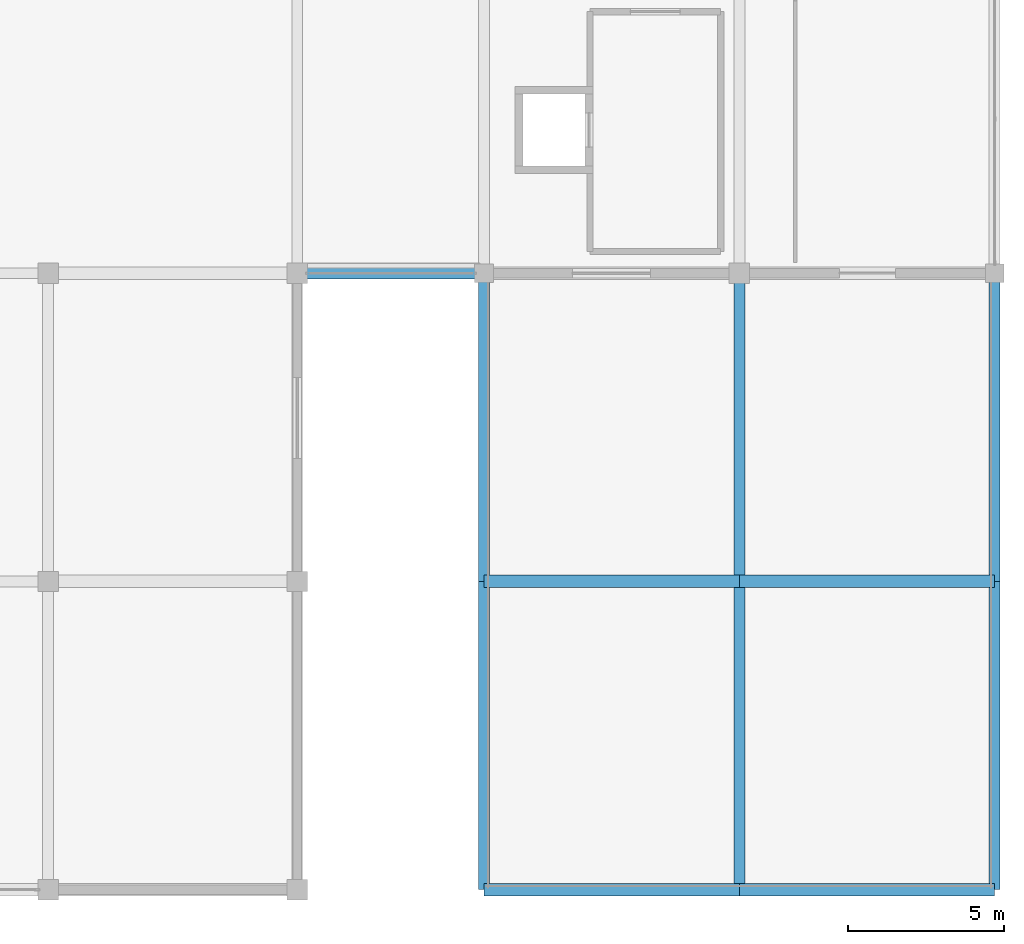
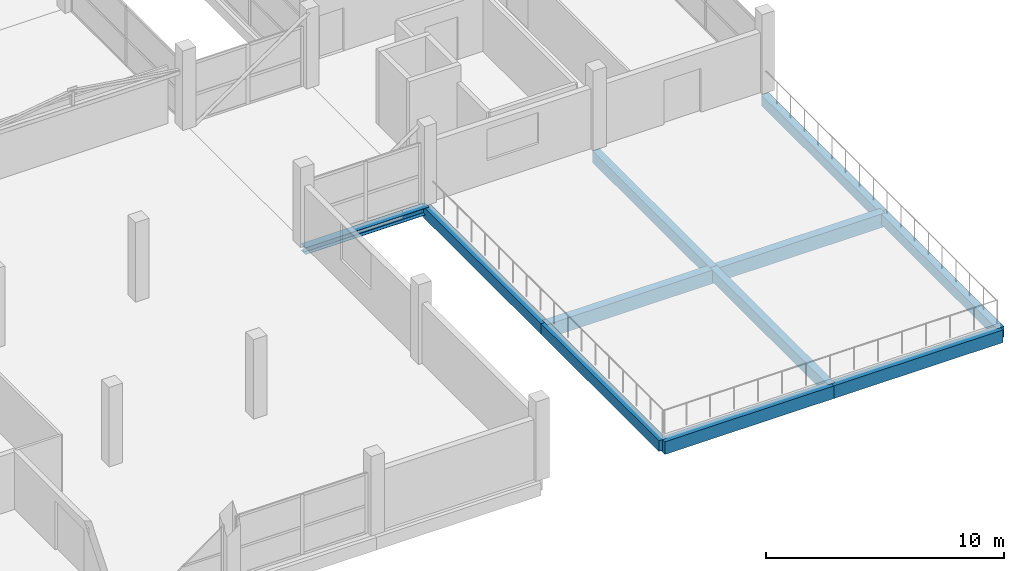
# One storey, part 13 of 53: 11 beams.
"""IFC4 building model written with IfcOpenShell, lengths in metres."""

from ifc_helpers import new_model, si_unit, direction, frame, origin, origin_2d, place, context, subcontext, project, spatial, rectangle, i_section, extrude, material, material_profile, profile_set, type_object, element, save


model = new_model("IFC4")

# Units and contexts
model_context = context("Model", 3, precision=1e-05, world=origin(), true_north=direction((0.0, 1.0)))
body_context = subcontext(model_context, "Body", "Model", "MODEL_VIEW")
ifc_project = project(units=[si_unit("LENGTHUNIT", "METRE"), si_unit("AREAUNIT", "SQUARE_METRE"), si_unit("VOLUMEUNIT", "CUBIC_METRE"), si_unit("PLANEANGLEUNIT", "RADIAN"), si_unit("MASSUNIT", "GRAM", prefix="KILO")], contexts=[model_context])

# Site, building, storey
site_placement = place(None, origin())
site = spatial("IfcSite", under=ifc_project, at=site_placement, CompositionType="ELEMENT")
building_placement = place(site_placement, origin())
building = spatial("IfcBuilding", under=site, at=building_placement, Name="Sillaruma Civic Art Gallery", CompositionType="ELEMENT")
storey_placement = place(building_placement, frame((0.0, 0.0, 70.3798828125)))
storey = spatial("IfcBuildingStorey", under=building, at=storey_placement, Name="L14", CompositionType="ELEMENT", Elevation=70.3798828125)

# Beams
ifc_material_1 = material(Name="Concrete H35 (35 MPa)", Category="concrete")
ifc_material_profile_1 = material_profile(ifc_material_1, rectangle(XDim=0.35009765625, YDim=0.60009765625, at=origin_2d()), Name="RCB350x600")
ifc_profile_set_1 = profile_set([ifc_material_profile_1], Name="Concrete H35 (35 MPa)")
beam_type_1 = type_object("IfcBeamType", Name="BM-BEAM-RCB350x600", PredefinedType="BEAM", material=ifc_profile_set_1)
beam_1_placement = place(storey_placement, frame((106.199951171875, 19.800048828125, -0.5498046875), z_axis=(0.0, 1.0, 0.0), x_axis=(-1.0, 0.0, 0.0)))
element("IfcBeam", 1, at=beam_1_placement, inside=storey, type_object=beam_type_1, Name="Beam BM-06 (L13:M:3-4)", PredefinedType="BEAM", context=body_context, shape_type="SweptSolid", body=[
    extrude(rectangle(XDim=0.35009765625, YDim=0.60009765625, at=origin_2d()), origin(), (0.0, 0.0, 1.0), 9.89990234375),
])
beam_2_placement = place(storey_placement, frame((106.199951171875, 29.699951171875, -0.5498046875), z_axis=(0.0, 1.0, 0.0), x_axis=(-1.0, 0.0, 0.0)))
element("IfcBeam", 2, at=beam_2_placement, inside=storey, type_object=beam_type_1, Name="Beam BM-06 (L13:M:4-5)", PredefinedType="BEAM", context=body_context, shape_type="SweptSolid", body=[
    extrude(rectangle(XDim=0.35009765625, YDim=0.60009765625, at=origin_2d()), origin(), (0.0, 0.0, 1.0), 9.900146484375),
])
ifc_material_profile_2 = material_profile(ifc_material_1, rectangle(XDim=0.39990234375, YDim=0.699951171875, at=origin_2d()), Name="RCB400x700")
ifc_profile_set_2 = profile_set([ifc_material_profile_2], Name="Concrete H35 (35 MPa)")
beam_type_2 = type_object("IfcBeamType", Name="BM-BEAM-RCB400x700", PredefinedType="BEAM", material=ifc_profile_set_2)
for number, where, z_axis, x_axis, name in (
    (3, (98.0, 29.699951171875, -0.599853515625), (1.0, 0.0, 0.0), (0.0, 1.0, 0.0), "Beam BM-04 (L13:4:L-M)"),
    (4, (106.199951171875, 29.699951171875, -0.599853515625), (1.0, 0.0, 0.0), (0.0, 1.0, 0.0), "Beam BM-04 (L13:4:M-N)"),
):
    element("IfcBeam", number, at=place(storey_placement, frame(where, z_axis=z_axis, x_axis=x_axis)), inside=storey, type_object=beam_type_2, Name=name, PredefinedType="BEAM", context=body_context, shape_type="SweptSolid", body=[
        extrude(rectangle(XDim=0.39990234375, YDim=0.699951171875, at=origin_2d()), origin(), (0.0, 0.0, 1.0), 8.199951171875),
    ])
ifc_material_2 = material(Name="Structural Steel ASTM A992 Gr.50", Category="steel")
ifc_material_profile_3 = material_profile(ifc_material_2, i_section(OverallWidth=0.368896484375, OverallDepth=0.35595703125, WebThickness=0.01123046875, FlangeThickness=0.01806640625, FilletRadius=0.014892578125, at=origin_2d()), Name="W360x134")
ifc_profile_set_3 = profile_set([ifc_material_profile_3], Name="Structural Steel ASTM A992 Gr.50")
beam_type_3 = type_object("IfcBeamType", Name="BM-BRIDGE-W360x134", PredefinedType="SPANDREL", material=ifc_profile_set_3)
beam_3_placement = place(storey_placement, frame((92.0, 39.60009765625, -0.387939453125), z_axis=(1.0, 0.0, 0.0), x_axis=(0.0, 1.0, 0.0)))
element("IfcBeam", 5, at=beam_3_placement, inside=storey, type_object=beam_type_3, Name="Sky-Bridge Steel Edge Girder (BRG-S:L14:S)", PredefinedType="SPANDREL", context=body_context, shape_type="SweptSolid", body=[
    extrude(i_section(OverallWidth=0.368896484375, OverallDepth=0.35595703125, WebThickness=0.01123046875, FlangeThickness=0.01806640625, FilletRadius=0.014892578125, at=origin_2d()), origin(), (0.0, 0.0, 1.0), 6.0),
])
ifc_material_profile_4 = material_profile(ifc_material_1, rectangle(XDim=0.35009765625, YDim=0.550048828125, at=origin_2d()), Name="RCB350x550")
ifc_profile_set_4 = profile_set([ifc_material_profile_4], Name="Concrete H35 (35 MPa)")
beam_type_4 = type_object("IfcBeamType", Name="BM-SPANDREL-RCB350x550", PredefinedType="SPANDREL", material=ifc_profile_set_4)
beam_4_placement = place(storey_placement, frame((98.0, 19.800048828125, -0.52490234375), z_axis=(0.0, 1.0, 0.0), x_axis=(-1.0, 0.0, 0.0)))
element("IfcBeam", 6, at=beam_4_placement, inside=storey, type_object=beam_type_4, Name="Beam BS-04 (L13:L:3-4)", PredefinedType="SPANDREL", context=body_context, shape_type="SweptSolid", body=[
    extrude(rectangle(XDim=0.35009765625, YDim=0.550048828125, at=origin_2d()), origin(), (0.0, 0.0, 1.0), 9.89990234375),
])
beam_5_placement = place(storey_placement, frame((98.0, 29.699951171875, -0.52490234375), z_axis=(0.0, 1.0, 0.0), x_axis=(-1.0, 0.0, 0.0)))
element("IfcBeam", 7, at=beam_5_placement, inside=storey, type_object=beam_type_4, Name="Beam BS-04 (L13:L:4-5)", PredefinedType="SPANDREL", context=body_context, shape_type="SweptSolid", body=[
    extrude(rectangle(XDim=0.35009765625, YDim=0.550048828125, at=origin_2d()), origin(), (0.0, 0.0, 1.0), 9.900146484375),
])
beam_6_placement = place(storey_placement, frame((114.39990234375, 19.800048828125, -0.52490234375), z_axis=(0.0, 1.0, 0.0), x_axis=(-1.0, 0.0, 0.0)))
element("IfcBeam", 8, at=beam_6_placement, inside=storey, type_object=beam_type_4, Name="Beam BS-04 (L13:N:3-4)", PredefinedType="SPANDREL", context=body_context, shape_type="SweptSolid", body=[
    extrude(rectangle(XDim=0.35009765625, YDim=0.550048828125, at=origin_2d()), origin(), (0.0, 0.0, 1.0), 9.89990234375),
])
beam_7_placement = place(storey_placement, frame((114.39990234375, 29.699951171875, -0.52490234375), z_axis=(0.0, 1.0, 0.0), x_axis=(-1.0, 0.0, 0.0)))
element("IfcBeam", 9, at=beam_7_placement, inside=storey, type_object=beam_type_4, Name="Beam BS-04 (L13:N:4-5)", PredefinedType="SPANDREL", context=body_context, shape_type="SweptSolid", body=[
    extrude(rectangle(XDim=0.35009765625, YDim=0.550048828125, at=origin_2d()), origin(), (0.0, 0.0, 1.0), 9.900146484375),
])
ifc_material_profile_5 = material_profile(ifc_material_1, rectangle(XDim=0.39990234375, YDim=0.64990234375, at=origin_2d()), Name="RCB400x650")
ifc_profile_set_5 = profile_set([ifc_material_profile_5], Name="Concrete H35 (35 MPa)")
beam_type_5 = type_object("IfcBeamType", Name="BM-SPANDREL-RCB400x650", PredefinedType="SPANDREL", material=ifc_profile_set_5)
for number, where, z_axis, x_axis, name in (
    (10, (98.0, 19.800048828125, -0.574951171875), (1.0, 0.0, 0.0), (0.0, 1.0, 0.0), "Beam BS-02 (L13:3:L-M)"),
    (11, (106.199951171875, 19.800048828125, -0.574951171875), (1.0, 0.0, 0.0), (0.0, 1.0, 0.0), "Beam BS-02 (L13:3:M-N)"),
):
    element("IfcBeam", number, at=place(storey_placement, frame(where, z_axis=z_axis, x_axis=x_axis)), inside=storey, type_object=beam_type_5, Name=name, PredefinedType="SPANDREL", context=body_context, shape_type="SweptSolid", body=[
        extrude(rectangle(XDim=0.39990234375, YDim=0.64990234375, at=origin_2d()), origin(), (0.0, 0.0, 1.0), 8.199951171875),
    ])

save(model, "model.ifc")
